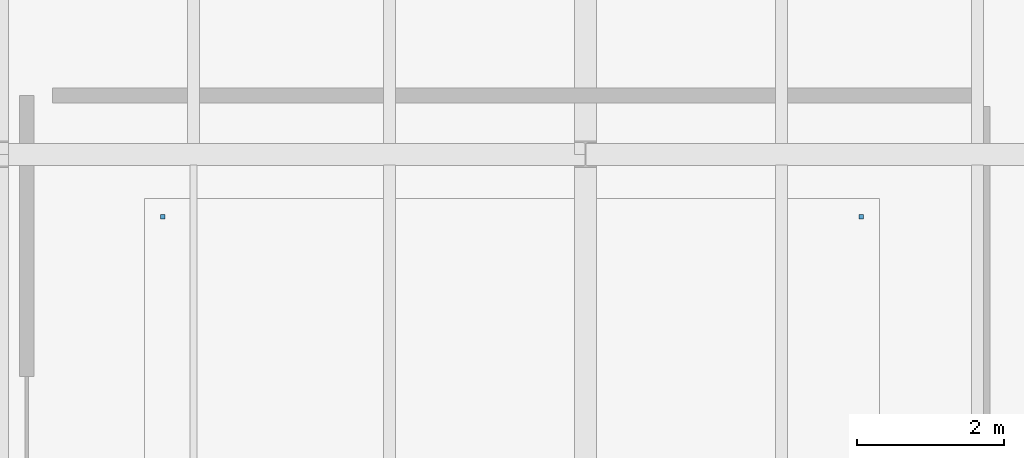
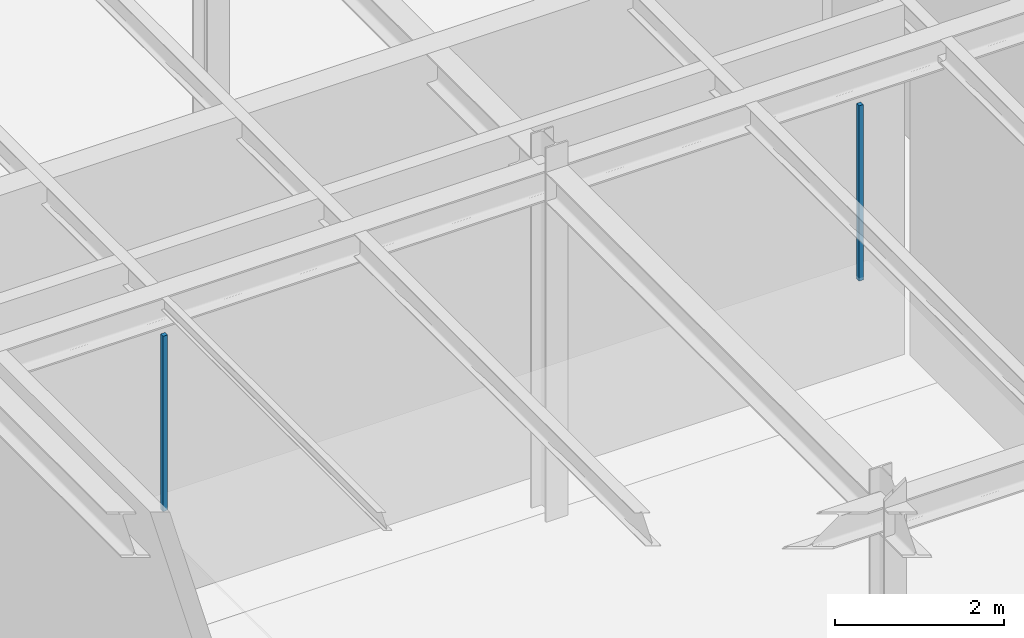
# One storey, part 103 of 129: 2 discrete accessories.
"""IFC4 building model written with IfcOpenShell, lengths in metres."""

import ifcopenshell
import ifcopenshell.guid

model = None  # the IFC model being written
_history = None  # IfcOwnerHistory: only IFC2X3 demands one
_inside = {}  # id of a spatial element -> (the spatial element, [elements in it])
_under = {}  # id of a project, library or spatial element -> (it, [spatial elements below it])
_declared = {}  # id of a project -> (the project, [libraries it declares])
_typed = {}  # id of a type object -> (the type object, [elements of that type])
_made_of = {}  # id of a material, layer set ... -> (it, [elements and type objects made of it])


def new_model(schema):
    """Start an empty IFC model of exactly this schema.

    Asked for "IFC4X3", IfcOpenShell would pick the latest addendum, in which some entities
    have other attributes; the version numbers below select the first issue.
    IFC2X3 requires an IfcOwnerHistory on every rooted entity: one is made here for all.
    """
    global model, _history
    if schema == "IFC4X3":
        model = ifcopenshell.file(schema_version=(4, 3, 0, 0))
    else:
        model = ifcopenshell.file(schema=schema)
    _inside.clear()
    _under.clear()
    _declared.clear()
    _typed.clear()
    _made_of.clear()
    _history = None
    if model.schema == "IFC2X3":
        org = make("IfcOrganization", Name="unknown")
        user = make(
            "IfcPersonAndOrganization",
            ThePerson=make("IfcPerson", FamilyName="unknown"),
            TheOrganization=org,
        )
        app = make(
            "IfcApplication",
            ApplicationDeveloper=org,
            Version="unknown",
            ApplicationFullName="unknown",
            ApplicationIdentifier="unknown",
        )
        _history = make(
            "IfcOwnerHistory",
            OwningUser=user,
            OwningApplication=app,
            ChangeAction="ADDED",
            CreationDate=0,
        )
    return model


def make(cls, **values):
    """One entity of the class cls with the attributes given. An attribute that is None is left unset."""
    return model.create_entity(
        cls, **{name: value for name, value in values.items() if value is not None}
    )


def rooted(cls, **values):
    """An entity with a GlobalId (a new one), such as an element, a storey or a relation."""
    return make(cls, GlobalId=ifcopenshell.guid.new(), OwnerHistory=_history, **values)


def si_unit(unit_type, name, prefix=None):
    """IfcSIUnit, for example si_unit("LENGTHUNIT", "METRE", prefix="MILLI")."""
    return make("IfcSIUnit", UnitType=unit_type, Prefix=prefix, Name=name)


def assignment(units):
    """IfcUnitAssignment: the units of a project."""
    return None if units is None else make("IfcUnitAssignment", Units=units)


def point(xyz):
    """IfcCartesianPoint."""
    return None if xyz is None else make("IfcCartesianPoint", Coordinates=xyz)


def direction(xyz):
    """IfcDirection."""
    return None if xyz is None else make("IfcDirection", DirectionRatios=xyz)


def frame(location, z_axis=None, x_axis=None):
    """IfcAxis2Placement3D, a coordinate frame: its origin and axes. An axis left out is left unset."""
    return make(
        "IfcAxis2Placement3D",
        Location=point(location),
        Axis=direction(z_axis),
        RefDirection=direction(x_axis),
    )


def frame_2d(location, x_axis=None):
    """IfcAxis2Placement2D, a coordinate frame in the plane: its origin and x axis."""
    return make(
        "IfcAxis2Placement2D", Location=point(location), RefDirection=direction(x_axis)
    )


def origin():
    """The frame at (0, 0, 0) with its axes left unset."""
    return frame((0.0, 0.0, 0.0))


def origin_2d():
    """The frame at (0, 0) in the plane with its x axis left unset."""
    return frame_2d((0.0, 0.0))


def place(relative_to, where):
    """IfcLocalPlacement: puts the frame where relative to a parent placement (None: the world)."""
    return make(
        "IfcLocalPlacement", PlacementRelTo=relative_to, RelativePlacement=where
    )


def context(
    kind, dimensions, precision=None, world=None, true_north=None, identifier=None
):
    """IfcGeometricRepresentationContext, for example the 3D "Model" context."""
    return make(
        "IfcGeometricRepresentationContext",
        ContextIdentifier=identifier,
        ContextType=kind,
        CoordinateSpaceDimension=dimensions,
        Precision=precision,
        WorldCoordinateSystem=world,
        TrueNorth=true_north,
    )


def subcontext(parent, identifier, kind, view, scale=None):
    """IfcGeometricRepresentationSubContext, for example "Body" below "Model"."""
    return make(
        "IfcGeometricRepresentationSubContext",
        ContextIdentifier=identifier,
        ContextType=kind,
        ParentContext=parent,
        TargetScale=scale,
        TargetView=view,
    )


def project(units=None, contexts=None):
    """IfcProject with its units and contexts."""
    return rooted(
        "IfcProject",
        Name="project",
        RepresentationContexts=contexts,
        UnitsInContext=assignment(units),
    )


def spatial(cls, under=None, at=None, **own):
    """A site, building, storey or space (cls), placed at a placement, below another one or the project."""
    s = rooted(cls, ObjectPlacement=at, **own)
    if under is not None:
        _under.setdefault(under.id(), (under, []))[1].append(s)
    return s


def profile(cls, at=None, kind="AREA", **sizes):
    """A parametric profile (cls). Its sizes go by their IFC names, for example OverallWidth=200.0."""
    return make(cls, ProfileType=kind, Position=at, **sizes)


def rectangle(**sizes):
    """IfcRectangleProfileDef."""
    return profile("IfcRectangleProfileDef", **sizes)


def extrude(swept, where, along, depth):
    """IfcExtrudedAreaSolid: the profile swept, set in the frame where, extruded along a direction by depth."""
    return make(
        "IfcExtrudedAreaSolid",
        SweptArea=swept,
        Position=where,
        ExtrudedDirection=direction(along),
        Depth=depth,
    )


def shape(context_of_items, identifier, shape_type, items):
    """IfcShapeRepresentation: the items that make up one representation, for example the "Body"."""
    return make(
        "IfcShapeRepresentation",
        ContextOfItems=context_of_items,
        RepresentationIdentifier=identifier,
        RepresentationType=shape_type,
        Items=items,
    )


def material(Name=None, Category=None):
    """IfcMaterial."""
    return make("IfcMaterial", Name=Name, Category=Category)


def made_of(thing, what):
    """Note that an element or type object is made of a material, layer set ...; save() writes the relation."""
    if what is not None:
        _made_of.setdefault(what.id(), (what, []))[1].append(thing)
    return thing


def type_object(cls, material=None, **own):
    """A type object (cls), such as IfcWallType, which elements share."""
    return made_of(rooted(cls, **own), material)


def element(
    cls,
    number,
    at=None,
    inside=None,
    cuts=None,
    type_object=None,
    material=None,
    context=None,
    identifier="Body",
    shape_type=None,
    held_by="IfcProductDefinitionShape",
    body=None,
    shapes=None,
    **own,
):
    """One element of the class cls, such as IfcWall. Its Tag is "e" and its number.

    at: its placement. inside: the storey or other place that contains it. cuts: it is an
    opening in that element (IfcRelVoidsElement). A single representation is given by context,
    identifier, shape_type and body (its items); several are given by shapes. held_by: the class
    of the entity that holds the representations. save() writes the other relations.
    """
    e = rooted(cls, Tag="e%d" % number, ObjectPlacement=at, **own)
    if body is not None:
        shapes = [shape(context, identifier, shape_type, body)]
    if shapes is not None:
        e.Representation = make(held_by, Representations=shapes)
    if inside is not None:
        _inside.setdefault(inside.id(), (inside, []))[1].append(e)
    if cuts is not None:
        rooted(
            "IfcRelVoidsElement", RelatingBuildingElement=cuts, RelatedOpeningElement=e
        )
    if type_object is not None:
        _typed.setdefault(type_object.id(), (type_object, []))[1].append(e)
    return made_of(e, material)


def aggregate(whole, parts):
    """IfcRelAggregates: a whole, such as a stair, and the parts it consists of."""
    return rooted("IfcRelAggregates", RelatingObject=whole, RelatedObjects=parts)


def save(model, path):
    """Write the relations noted so far, then the file.

    IfcRelAggregates (storeys below a building ...), IfcRelContainedInSpatialStructure (elements
    in a storey), IfcRelDefinesByType, IfcRelAssociatesMaterial and IfcRelDeclares: one each for
    every whole, place, type object, material and project.
    """
    for whole, parts in _under.values():
        aggregate(whole, parts)
    for where, things in _inside.values():
        rooted(
            "IfcRelContainedInSpatialStructure",
            RelatedElements=things,
            RelatingStructure=where,
        )
    for kind, things in _typed.values():
        rooted("IfcRelDefinesByType", RelatedObjects=things, RelatingType=kind)
    for what, things in _made_of.values():
        rooted("IfcRelAssociatesMaterial", RelatedObjects=things, RelatingMaterial=what)
    for by, libraries in _declared.values():
        rooted("IfcRelDeclares", RelatingContext=by, RelatedDefinitions=libraries)
    model.write(path)


model = new_model("IFC4")

# Units and contexts
model_context = context("Model", 3, precision=1e-05, world=origin(), true_north=direction((0.0, 1.0)))
body_context = subcontext(model_context, "Body", "Model", "MODEL_VIEW")
ifc_project = project(units=[si_unit("LENGTHUNIT", "METRE"), si_unit("AREAUNIT", "SQUARE_METRE"), si_unit("VOLUMEUNIT", "CUBIC_METRE"), si_unit("PLANEANGLEUNIT", "RADIAN"), si_unit("MASSUNIT", "GRAM", prefix="KILO")], contexts=[model_context])

# Site, building, storey
site_placement = place(None, origin())
site = spatial("IfcSite", under=ifc_project, at=site_placement, CompositionType="ELEMENT")
building_placement = place(site_placement, origin())
building = spatial("IfcBuilding", under=site, at=building_placement, Name="Sundkrona Museum", CompositionType="ELEMENT")
storey_placement = place(building_placement, origin())
storey = spatial("IfcBuildingStorey", under=building, at=storey_placement, Name="L00", CompositionType="ELEMENT", Elevation=0.0)

# Discrete accessories
ifc_material = material(Name="Stainless Steel EN 1.4404 Cleat", Category="steel")
discrete_accessory_type = type_object("IfcDiscreteAccessoryType", Name="BRK-FIN-01", PredefinedType="BRACKET", material=ifc_material)
for number, where, z_axis, x_axis, name in (
    (1, (163.75, 77.14990234375, 2.5498046875), (0.0, 0.0, 1.0), (1.0, 0.0, 0.0), "L00 Art Registrar Unpacking Room Ceiling Hanger 3"),
    (2, (154.25, 77.14990234375, 2.5498046875), (0.0, 0.0, 1.0), (1.0, 0.0, 0.0), "L00 Art Registrar Unpacking Room Ceiling Hanger 4"),
):
    element("IfcDiscreteAccessory", number, at=place(storey_placement, frame(where, z_axis=z_axis, x_axis=x_axis)), inside=storey, type_object=discrete_accessory_type, Name=name, PredefinedType="BRACKET", context=body_context, shape_type="SweptSolid", body=[
        extrude(rectangle(XDim=0.06005859375, YDim=0.06005859375, at=origin_2d()), origin(), (0.0, 0.0, 1.0), 2.530029296875),
    ])

save(model, "model.ifc")
